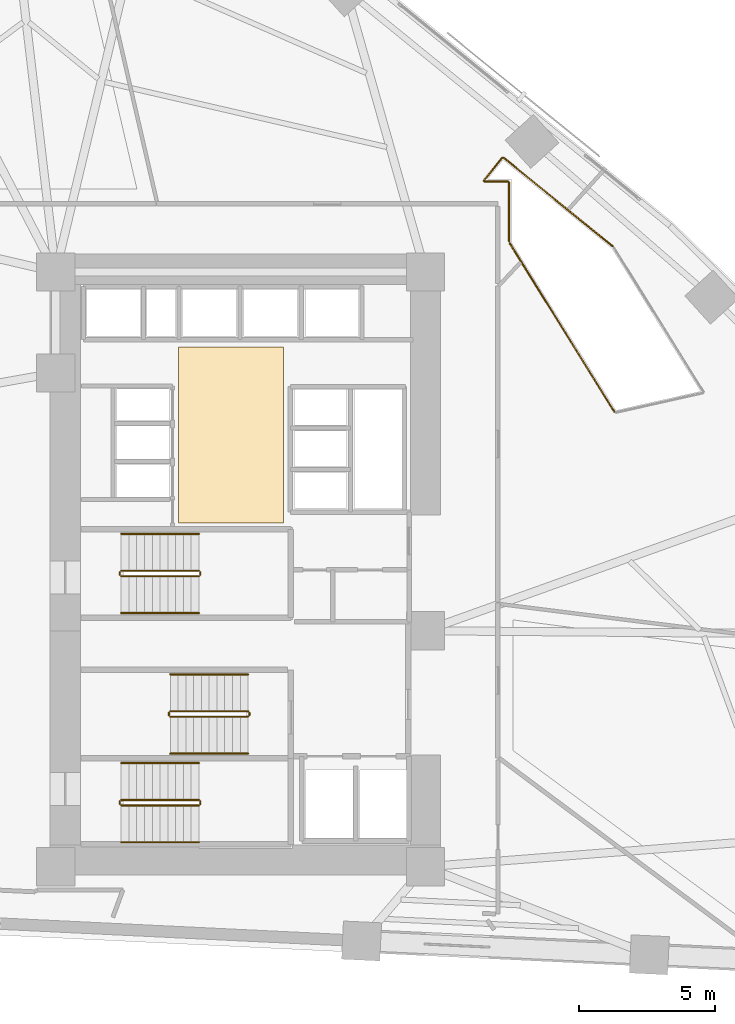
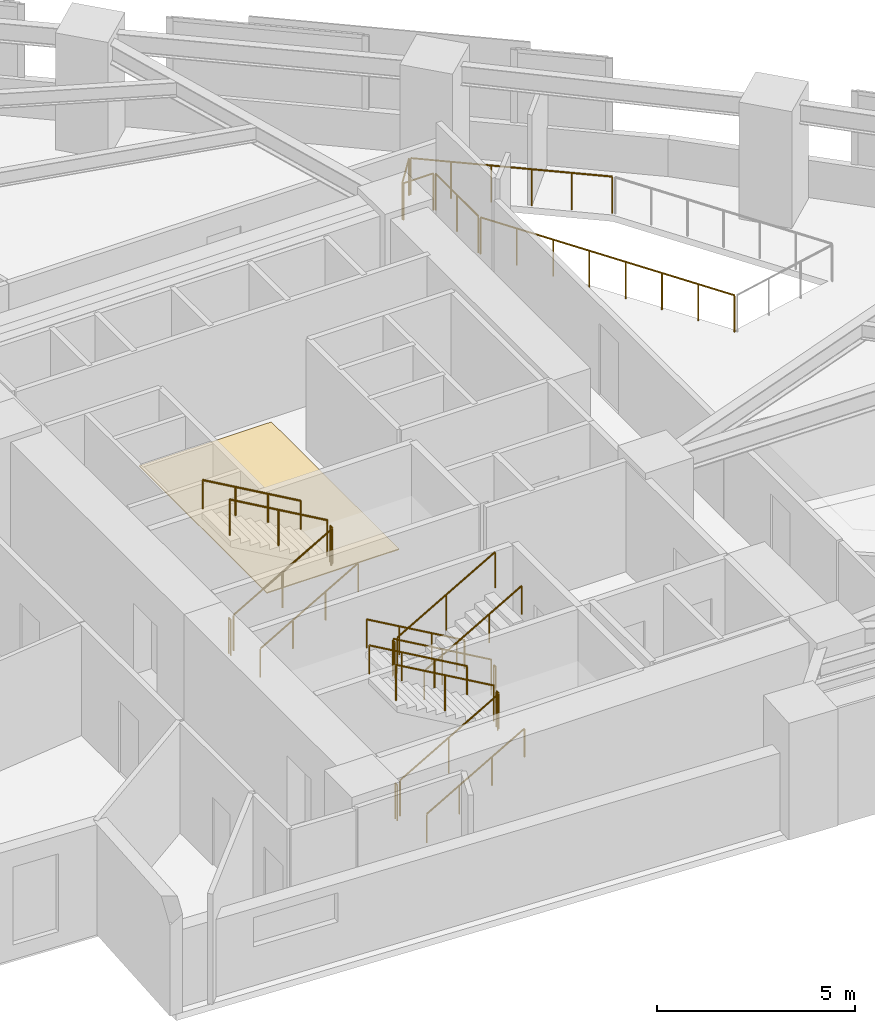
# One storey, part 16 of 17: 23 railings, 1 covering.
"""IFC4 building model written with IfcOpenShell, lengths in metres."""

from ifc_helpers import new_model, si_unit, direction, frame, origin, origin_2d, place, context, subcontext, project, spatial, polyline, circle, outline, extrude, material, layer, layer_set, type_object, element, save


model = new_model("IFC4")

# Units and contexts
model_context = context("Model", 3, precision=1e-05, world=origin(), true_north=direction((0.0, 1.0)))
body_context = subcontext(model_context, "Body", "Model", "MODEL_VIEW")
ifc_project = project(units=[si_unit("LENGTHUNIT", "METRE"), si_unit("AREAUNIT", "SQUARE_METRE"), si_unit("VOLUMEUNIT", "CUBIC_METRE"), si_unit("PLANEANGLEUNIT", "RADIAN"), si_unit("MASSUNIT", "GRAM", prefix="KILO")], contexts=[model_context])

# Site, building, storey
site_placement = place(None, origin())
site = spatial("IfcSite", under=ifc_project, at=site_placement, CompositionType="ELEMENT")
building_placement = place(site_placement, origin())
building = spatial("IfcBuilding", under=site, at=building_placement, Name="Narakoshi Arena Tower", CompositionType="ELEMENT")
storey_placement = place(building_placement, frame((0.0, 0.0, 51.89990234375)))
storey = spatial("IfcBuildingStorey", under=building, at=storey_placement, Name="L13", CompositionType="ELEMENT", Elevation=51.89990234375)

# Covering
ifc_material_1 = material(Name="Honed granite stone paving", Category="masonry")
ifc_layer = layer(ifc_material_1, 0.030029296875)
ifc_layer_set = layer_set([ifc_layer], Name="Honed granite stone paving")
covering_type = type_object("IfcCoveringType", Name="COV-FLR-ST30", PredefinedType="FLOORING", material=ifc_layer_set)
covering_placement = place(storey_placement, origin())
element("IfcCovering", 1, at=covering_placement, inside=storey, type_object=covering_type, Name="L13 Lift Lobby Granite Flooring", PredefinedType="FLOORING", context=body_context, shape_type="SweptSolid", body=[
    extrude(outline(polyline([(76.5, 47.300048828125), (80.35009765625, 47.300048828125), (80.35009765625, 53.75), (76.5, 53.75), (76.5, 47.300048828125)])), origin(), (0.0, 0.0, 1.0), 0.030029296875),
])

# Railings
ifc_material_2 = material(Name="Clear low-iron laminated structural glass", Category="glass")
railing_type_1 = type_object("IfcRailingType", Name="RL-BAL-1100", PredefinedType="BALUSTRADE", material=ifc_material_2)
railing_1_placement = place(storey_placement, frame((74.39990234375, 36.949951171875, 0.163818359375)))
element("IfcRailing", 2, at=railing_1_placement, inside=storey, type_object=railing_type_1, Name="L13 ST1 stair guard 1", PredefinedType="BALUSTRADE", context=body_context, shape_type="SweptSolid", body=[
    extrude(circle(Radius=0.02392578125, at=origin_2d()), frame((0.0, 0.0, 1.09619140625), z_axis=(0.867244780686, 0.0, 0.497882004468), x_axis=(0.0, 1.0, 0.0)), (0.0, 0.0, 1.0), 3.286376953125),
    extrude(circle(Radius=0.02099609375, at=origin_2d()), origin(), (0.0, 0.0, 1.0), 1.072021484375),
    extrude(circle(Radius=0.02099609375, at=origin_2d()), frame((1.425048828125, 0.0, 0.818115234375)), (0.0, 0.0, 1.0), 1.072021484375),
    extrude(circle(Radius=0.02099609375, at=origin_2d()), frame((2.85009765625, 0.0, 1.63623046875)), (0.0, 0.0, 1.0), 1.072021484375),
])
railing_2_placement = place(storey_placement, frame((77.300048828125, 37.0, 1.800048828125)))
element("IfcRailing", 3, at=railing_2_placement, inside=storey, type_object=railing_type_1, Name="L13 ST1 stair guard 2", PredefinedType="BALUSTRADE", context=body_context, shape_type="SweptSolid", body=[
    extrude(circle(Radius=0.02392578125, at=origin_2d()), frame((0.0, 0.0, 1.09619140625), z_axis=(0.0, 1.0, 0.0), x_axis=(-1.0, 0.0, 0.0)), (0.0, 0.0, 1.0), 0.10009765625),
    extrude(circle(Radius=0.02099609375, at=origin_2d()), origin(), (0.0, 0.0, 1.0), 1.072021484375),
    extrude(circle(Radius=0.02099609375, at=origin_2d()), frame((0.0, 0.10009765625, 0.0)), (0.0, 0.0, 1.0), 1.072021484375),
])
railing_3_placement = place(storey_placement, frame((77.25, 37.14990234375, 1.963623046875)))
element("IfcRailing", 4, at=railing_3_placement, inside=storey, type_object=railing_type_1, Name="L13 ST1 stair guard 3", PredefinedType="BALUSTRADE", context=body_context, shape_type="SweptSolid", body=[
    extrude(circle(Radius=0.02392578125, at=origin_2d()), frame((0.0, 0.0, 1.09619140625), z_axis=(-0.86721270334, 0.0, 0.497937874806), x_axis=(0.0, -1.0, 0.0)), (0.0, 0.0, 1.0), 3.28662109375),
    extrude(circle(Radius=0.02099609375, at=origin_2d()), origin(), (0.0, 0.0, 1.0), 1.072021484375),
    extrude(circle(Radius=0.02099609375, at=origin_2d()), frame((-1.425048828125, 0.0, 0.818359375)), (0.0, 0.0, 1.0), 1.072021484375),
    extrude(circle(Radius=0.02099609375, at=origin_2d()), frame((-2.85009765625, 0.0, 1.636474609375)), (0.0, 0.0, 1.0), 1.072021484375),
])
railing_4_placement = place(storey_placement, frame((74.35009765625, 37.0, 0.0)))
element("IfcRailing", 5, at=railing_4_placement, inside=storey, type_object=railing_type_1, Name="L13 ST1 stair guard 4", PredefinedType="BALUSTRADE", context=body_context, shape_type="SweptSolid", body=[
    extrude(circle(Radius=0.02392578125, at=origin_2d()), frame((0.0, 0.0, 1.09619140625), z_axis=(0.0, 1.0, 0.0), x_axis=(-1.0, 0.0, 0.0)), (0.0, 0.0, 1.0), 0.10009765625),
    extrude(circle(Radius=0.02099609375, at=origin_2d()), origin(), (0.0, 0.0, 1.0), 1.072021484375),
    extrude(circle(Radius=0.02099609375, at=origin_2d()), frame((0.0, 0.10009765625, 0.0)), (0.0, 0.0, 1.0), 1.072021484375),
])
railing_5_placement = place(storey_placement, frame((79.050048828125, 40.39990234375, 0.163818359375)))
element("IfcRailing", 6, at=railing_5_placement, inside=storey, type_object=railing_type_1, Name="L13 ST2 stair guard 1", PredefinedType="BALUSTRADE", context=body_context, shape_type="SweptSolid", body=[
    extrude(circle(Radius=0.02392578125, at=origin_2d()), frame((0.0, 0.0, 1.09619140625), z_axis=(-0.867244780686, 0.0, 0.497882004468), x_axis=(0.0, -1.0, 0.0)), (0.0, 0.0, 1.0), 3.286376953125),
    extrude(circle(Radius=0.02099609375, at=origin_2d()), origin(), (0.0, 0.0, 1.0), 1.072021484375),
    extrude(circle(Radius=0.02099609375, at=origin_2d()), frame((-1.425048828125, 0.0, 0.818115234375)), (0.0, 0.0, 1.0), 1.072021484375),
    extrude(circle(Radius=0.02099609375, at=origin_2d()), frame((-2.85009765625, 0.0, 1.63623046875)), (0.0, 0.0, 1.0), 1.072021484375),
])
railing_6_placement = place(storey_placement, frame((76.14990234375, 40.35009765625, 1.800048828125)))
element("IfcRailing", 7, at=railing_6_placement, inside=storey, type_object=railing_type_1, Name="L13 ST2 stair guard 2", PredefinedType="BALUSTRADE", context=body_context, shape_type="SweptSolid", body=[
    extrude(circle(Radius=0.02392578125, at=origin_2d()), frame((0.0, 0.0, 1.09619140625), z_axis=(0.0, -1.0, 0.0), x_axis=(1.0, 0.0, 0.0)), (0.0, 0.0, 1.0), 0.10009765625),
    extrude(circle(Radius=0.02099609375, at=origin_2d()), origin(), (0.0, 0.0, 1.0), 1.072021484375),
    extrude(circle(Radius=0.02099609375, at=origin_2d()), frame((0.0, -0.10009765625, 0.0)), (0.0, 0.0, 1.0), 1.072021484375),
])
railing_7_placement = place(storey_placement, frame((76.199951171875, 40.199951171875, 1.963623046875)))
element("IfcRailing", 8, at=railing_7_placement, inside=storey, type_object=railing_type_1, Name="L13 ST2 stair guard 3", PredefinedType="BALUSTRADE", context=body_context, shape_type="SweptSolid", body=[
    extrude(circle(Radius=0.02392578125, at=origin_2d()), frame((0.0, 0.0, 1.09619140625), z_axis=(0.86721270334, 0.0, 0.497937874806), x_axis=(0.0, 1.0, 0.0)), (0.0, 0.0, 1.0), 3.28662109375),
    extrude(circle(Radius=0.02099609375, at=origin_2d()), origin(), (0.0, 0.0, 1.0), 1.072021484375),
    extrude(circle(Radius=0.02099609375, at=origin_2d()), frame((1.425048828125, 0.0, 0.818359375)), (0.0, 0.0, 1.0), 1.072021484375),
    extrude(circle(Radius=0.02099609375, at=origin_2d()), frame((2.85009765625, 0.0, 1.636474609375)), (0.0, 0.0, 1.0), 1.072021484375),
])
railing_8_placement = place(storey_placement, frame((79.10009765625, 40.35009765625, 0.0)))
element("IfcRailing", 9, at=railing_8_placement, inside=storey, type_object=railing_type_1, Name="L13 ST2 stair guard 4", PredefinedType="BALUSTRADE", context=body_context, shape_type="SweptSolid", body=[
    extrude(circle(Radius=0.02392578125, at=origin_2d()), frame((0.0, 0.0, 1.09619140625), z_axis=(0.0, -1.0, 0.0), x_axis=(1.0, 0.0, 0.0)), (0.0, 0.0, 1.0), 0.10009765625),
    extrude(circle(Radius=0.02099609375, at=origin_2d()), origin(), (0.0, 0.0, 1.0), 1.072021484375),
    extrude(circle(Radius=0.02099609375, at=origin_2d()), frame((0.0, -0.10009765625, 0.0)), (0.0, 0.0, 1.0), 1.072021484375),
])
railing_9_placement = place(storey_placement, frame((74.39990234375, 45.35009765625, 0.163818359375)))
element("IfcRailing", 10, at=railing_9_placement, inside=storey, type_object=railing_type_1, Name="L13 ST3 stair guard 1", PredefinedType="BALUSTRADE", context=body_context, shape_type="SweptSolid", body=[
    extrude(circle(Radius=0.02392578125, at=origin_2d()), frame((0.0, 0.0, 1.09619140625), z_axis=(0.867244780686, 0.0, 0.497882004468), x_axis=(0.0, 1.0, 0.0)), (0.0, 0.0, 1.0), 3.286376953125),
    extrude(circle(Radius=0.02099609375, at=origin_2d()), origin(), (0.0, 0.0, 1.0), 1.072021484375),
    extrude(circle(Radius=0.02099609375, at=origin_2d()), frame((1.425048828125, 0.0, 0.818115234375)), (0.0, 0.0, 1.0), 1.072021484375),
    extrude(circle(Radius=0.02099609375, at=origin_2d()), frame((2.85009765625, 0.0, 1.63623046875)), (0.0, 0.0, 1.0), 1.072021484375),
])
railing_10_placement = place(storey_placement, frame((77.300048828125, 45.39990234375, 1.800048828125)))
element("IfcRailing", 11, at=railing_10_placement, inside=storey, type_object=railing_type_1, Name="L13 ST3 stair guard 2", PredefinedType="BALUSTRADE", context=body_context, shape_type="SweptSolid", body=[
    extrude(circle(Radius=0.02392578125, at=origin_2d()), frame((0.0, 0.0, 1.09619140625), z_axis=(0.0, 1.0, 0.0), x_axis=(-1.0, 0.0, 0.0)), (0.0, 0.0, 1.0), 0.10009765625),
    extrude(circle(Radius=0.02099609375, at=origin_2d()), origin(), (0.0, 0.0, 1.0), 1.072021484375),
    extrude(circle(Radius=0.02099609375, at=origin_2d()), frame((0.0, 0.10009765625, 0.0)), (0.0, 0.0, 1.0), 1.072021484375),
])
railing_11_placement = place(storey_placement, frame((77.25, 45.550048828125, 1.963623046875)))
element("IfcRailing", 12, at=railing_11_placement, inside=storey, type_object=railing_type_1, Name="L13 ST3 stair guard 3", PredefinedType="BALUSTRADE", context=body_context, shape_type="SweptSolid", body=[
    extrude(circle(Radius=0.02392578125, at=origin_2d()), frame((0.0, 0.0, 1.09619140625), z_axis=(-0.86721270334, 0.0, 0.497937874806), x_axis=(0.0, -1.0, 0.0)), (0.0, 0.0, 1.0), 3.28662109375),
    extrude(circle(Radius=0.02099609375, at=origin_2d()), origin(), (0.0, 0.0, 1.0), 1.072021484375),
    extrude(circle(Radius=0.02099609375, at=origin_2d()), frame((-1.425048828125, 0.0, 0.818359375)), (0.0, 0.0, 1.0), 1.072021484375),
    extrude(circle(Radius=0.02099609375, at=origin_2d()), frame((-2.85009765625, 0.0, 1.636474609375)), (0.0, 0.0, 1.0), 1.072021484375),
])
railing_12_placement = place(storey_placement, frame((74.35009765625, 45.39990234375, 0.0)))
element("IfcRailing", 13, at=railing_12_placement, inside=storey, type_object=railing_type_1, Name="L13 ST3 stair guard 4", PredefinedType="BALUSTRADE", context=body_context, shape_type="SweptSolid", body=[
    extrude(circle(Radius=0.02392578125, at=origin_2d()), frame((0.0, 0.0, 1.09619140625), z_axis=(0.0, 1.0, 0.0), x_axis=(-1.0, 0.0, 0.0)), (0.0, 0.0, 1.0), 0.10009765625),
    extrude(circle(Radius=0.02099609375, at=origin_2d()), origin(), (0.0, 0.0, 1.0), 1.072021484375),
    extrude(circle(Radius=0.02099609375, at=origin_2d()), frame((0.0, 0.10009765625, 0.0)), (0.0, 0.0, 1.0), 1.072021484375),
])
ifc_material_3 = material(Name="Brushed bronze stainless steel", Category="steel")
railing_type_2 = type_object("IfcRailingType", Name="RL-GRD-1150", PredefinedType="GUARDRAIL", material=ifc_material_3)
railing_13_placement = place(storey_placement, frame((92.477294921875, 51.3740234375, 0.0)))
element("IfcRailing", 14, at=railing_13_placement, inside=storey, type_object=railing_type_2, Name="L13 Sky-Garden Atrium Void Guardrail 1", PredefinedType="GUARDRAIL", context=body_context, shape_type="SweptSolid", body=[
    extrude(circle(Radius=0.02392578125, at=origin_2d()), frame((0.0, 0.0, 1.1259765625), z_axis=(-0.527639514135, 0.849468388537, 0.0), x_axis=(-0.849468388537, -0.527639514135, 0.0)), (0.0, 0.0, 1.0), 7.2705078125),
    extrude(circle(Radius=0.02099609375, at=origin_2d()), origin(), (0.0, 0.0, 1.0), 1.101806640625),
    extrude(circle(Radius=0.02099609375, at=origin_2d()), frame((-0.548095703125, 0.88232421875, 0.0)), (0.0, 0.0, 1.0), 1.101806640625),
    extrude(circle(Radius=0.02099609375, at=origin_2d()), frame((-1.095947265625, 1.7646484375, 0.0)), (0.0, 0.0, 1.0), 1.101806640625),
    extrude(circle(Radius=0.02099609375, at=origin_2d()), frame((-1.64404296875, 2.64697265625, 0.0)), (0.0, 0.0, 1.0), 1.101806640625),
    extrude(circle(Radius=0.02099609375, at=origin_2d()), frame((-2.192138671875, 3.529052734375, 0.0)), (0.0, 0.0, 1.0), 1.101806640625),
    extrude(circle(Radius=0.02099609375, at=origin_2d()), frame((-2.740234375, 4.411376953125, 0.0)), (0.0, 0.0, 1.0), 1.101806640625),
    extrude(circle(Radius=0.02099609375, at=origin_2d()), frame((-3.2880859375, 5.293701171875, 0.0)), (0.0, 0.0, 1.0), 1.101806640625),
    extrude(circle(Radius=0.02099609375, at=origin_2d()), frame((-3.836181640625, 6.176025390625, 0.0)), (0.0, 0.0, 1.0), 1.101806640625),
])
railing_14_placement = place(storey_placement, frame((88.6201171875, 57.6240234375, 0.0)))
element("IfcRailing", 15, at=railing_14_placement, inside=storey, type_object=railing_type_2, Name="L13 Sky-Garden Atrium Void Guardrail 2", PredefinedType="GUARDRAIL", context=body_context, shape_type="SweptSolid", body=[
    extrude(circle(Radius=0.02392578125, at=origin_2d()), frame((0.0, 0.0, 1.1259765625), z_axis=(0.0, 1.0, 0.0), x_axis=(-1.0, 0.0, 0.0)), (0.0, 0.0, 1.0), 2.156005859375),
    extrude(circle(Radius=0.02099609375, at=origin_2d()), origin(), (0.0, 0.0, 1.0), 1.101806640625),
    extrude(circle(Radius=0.02099609375, at=origin_2d()), frame((0.0, 1.078125, 0.0)), (0.0, 0.0, 1.0), 1.101806640625),
    extrude(circle(Radius=0.02099609375, at=origin_2d()), frame((0.0, 2.156005859375, 0.0)), (0.0, 0.0, 1.0), 1.101806640625),
])
railing_15_placement = place(storey_placement, frame((88.580078125, 59.820068359375, 0.0)))
element("IfcRailing", 16, at=railing_15_placement, inside=storey, type_object=railing_type_2, Name="L13 Sky-Garden Atrium Void Guardrail 3", PredefinedType="GUARDRAIL", context=body_context, shape_type="SweptSolid", body=[
    extrude(circle(Radius=0.02392578125, at=origin_2d()), frame((0.0, 0.0, 1.1259765625), z_axis=(-1.0, 0.0, 0.0), x_axis=(0.0, -1.0, 0.0)), (0.0, 0.0, 1.0), 0.875244140625),
    extrude(circle(Radius=0.02099609375, at=origin_2d()), origin(), (0.0, 0.0, 1.0), 1.101806640625),
    extrude(circle(Radius=0.02099609375, at=origin_2d()), frame((-0.875244140625, 0.0, 0.0)), (0.0, 0.0, 1.0), 1.101806640625),
])
railing_16_placement = place(storey_placement, frame((87.68994140625, 59.85107421875, 0.0)))
element("IfcRailing", 17, at=railing_16_placement, inside=storey, type_object=railing_type_2, Name="L13 Sky-Garden Atrium Void Guardrail 4", PredefinedType="GUARDRAIL", context=body_context, shape_type="SweptSolid", body=[
    extrude(circle(Radius=0.02392578125, at=origin_2d()), frame((0.0, 0.0, 1.1259765625), z_axis=(0.628863159406, 0.77751599774, 0.0), x_axis=(-0.77751599774, 0.628863159406, 0.0)), (0.0, 0.0, 1.0), 1.069091796875),
    extrude(circle(Radius=0.02099609375, at=origin_2d()), origin(), (0.0, 0.0, 1.0), 1.101806640625),
    extrude(circle(Radius=0.02099609375, at=origin_2d()), frame((0.67236328125, 0.831298828125, 0.0)), (0.0, 0.0, 1.0), 1.101806640625),
])
railing_17_placement = place(storey_placement, frame((88.41845703125, 60.688232421875, 0.0)))
element("IfcRailing", 18, at=railing_17_placement, inside=storey, type_object=railing_type_2, Name="L13 Sky-Garden Atrium Void Guardrail 5", PredefinedType="GUARDRAIL", context=body_context, shape_type="SweptSolid", body=[
    extrude(circle(Radius=0.02392578125, at=origin_2d()), frame((0.0, 0.0, 1.1259765625), z_axis=(0.775992142354, -0.630742574276, 0.0), x_axis=(0.630742574276, 0.775992142354, 0.0)), (0.0, 0.0, 1.0), 5.1484375),
    extrude(circle(Radius=0.02099609375, at=origin_2d()), origin(), (0.0, 0.0, 1.0), 1.101806640625),
    extrude(circle(Radius=0.02099609375, at=origin_2d()), frame((0.799072265625, -0.6494140625, 0.0)), (0.0, 0.0, 1.0), 1.101806640625),
    extrude(circle(Radius=0.02099609375, at=origin_2d()), frame((1.59814453125, -1.298828125, 0.0)), (0.0, 0.0, 1.0), 1.101806640625),
    extrude(circle(Radius=0.02099609375, at=origin_2d()), frame((2.39697265625, -1.948486328125, 0.0)), (0.0, 0.0, 1.0), 1.101806640625),
    extrude(circle(Radius=0.02099609375, at=origin_2d()), frame((3.196044921875, -2.597900390625, 0.0)), (0.0, 0.0, 1.0), 1.101806640625),
    extrude(circle(Radius=0.02099609375, at=origin_2d()), frame((3.9951171875, -3.247314453125, 0.0)), (0.0, 0.0, 1.0), 1.101806640625),
])
railing_type_3 = type_object("IfcRailingType", Name="RL-HND-900", PredefinedType="HANDRAIL", material=ifc_material_3)
railing_18_placement = place(storey_placement, frame((74.39990234375, 35.60009765625, 0.163818359375)))
element("IfcRailing", 19, at=railing_18_placement, inside=storey, type_object=railing_type_3, Name="L13 ST1 stair handrail 1", PredefinedType="HANDRAIL", context=body_context, shape_type="SweptSolid", body=[
    extrude(circle(Radius=0.02392578125, at=origin_2d()), frame((0.0, 0.0, 0.8759765625), z_axis=(0.867244780686, 0.0, 0.497882004468), x_axis=(0.0, 1.0, 0.0)), (0.0, 0.0, 1.0), 3.286376953125),
    extrude(circle(Radius=0.02099609375, at=origin_2d()), origin(), (0.0, 0.0, 1.0), 0.851806640625),
    extrude(circle(Radius=0.02099609375, at=origin_2d()), frame((0.949951171875, 0.0, 0.54541015625)), (0.0, 0.0, 1.0), 0.851806640625),
    extrude(circle(Radius=0.02099609375, at=origin_2d()), frame((1.900146484375, 0.0, 1.0908203125)), (0.0, 0.0, 1.0), 0.851806640625),
    extrude(circle(Radius=0.02099609375, at=origin_2d()), frame((2.85009765625, 0.0, 1.63623046875)), (0.0, 0.0, 1.0), 0.851806640625),
])
railing_19_placement = place(storey_placement, frame((77.25, 38.5, 1.963623046875)))
element("IfcRailing", 20, at=railing_19_placement, inside=storey, type_object=railing_type_3, Name="L13 ST1 stair handrail 2", PredefinedType="HANDRAIL", context=body_context, shape_type="SweptSolid", body=[
    extrude(circle(Radius=0.02392578125, at=origin_2d()), frame((0.0, 0.0, 0.8759765625), z_axis=(-0.86721270334, 0.0, 0.497937874806), x_axis=(0.0, -1.0, 0.0)), (0.0, 0.0, 1.0), 3.28662109375),
    extrude(circle(Radius=0.02099609375, at=origin_2d()), origin(), (0.0, 0.0, 1.0), 0.851806640625),
    extrude(circle(Radius=0.02099609375, at=origin_2d()), frame((-0.949951171875, 0.0, 0.54541015625)), (0.0, 0.0, 1.0), 0.851806640625),
    extrude(circle(Radius=0.02099609375, at=origin_2d()), frame((-1.900146484375, 0.0, 1.091064453125)), (0.0, 0.0, 1.0), 0.851806640625),
    extrude(circle(Radius=0.02099609375, at=origin_2d()), frame((-2.85009765625, 0.0, 1.636474609375)), (0.0, 0.0, 1.0), 0.851806640625),
])
railing_20_placement = place(storey_placement, frame((79.050048828125, 41.75, 0.163818359375)))
element("IfcRailing", 21, at=railing_20_placement, inside=storey, type_object=railing_type_3, Name="L13 ST2 stair handrail 1", PredefinedType="HANDRAIL", context=body_context, shape_type="SweptSolid", body=[
    extrude(circle(Radius=0.02392578125, at=origin_2d()), frame((0.0, 0.0, 0.8759765625), z_axis=(-0.867244780686, 0.0, 0.497882004468), x_axis=(0.0, -1.0, 0.0)), (0.0, 0.0, 1.0), 3.286376953125),
    extrude(circle(Radius=0.02099609375, at=origin_2d()), origin(), (0.0, 0.0, 1.0), 0.851806640625),
    extrude(circle(Radius=0.02099609375, at=origin_2d()), frame((-0.949951171875, 0.0, 0.54541015625)), (0.0, 0.0, 1.0), 0.851806640625),
    extrude(circle(Radius=0.02099609375, at=origin_2d()), frame((-1.900146484375, 0.0, 1.0908203125)), (0.0, 0.0, 1.0), 0.851806640625),
    extrude(circle(Radius=0.02099609375, at=origin_2d()), frame((-2.85009765625, 0.0, 1.63623046875)), (0.0, 0.0, 1.0), 0.851806640625),
])
railing_21_placement = place(storey_placement, frame((76.199951171875, 38.85009765625, 1.963623046875)))
element("IfcRailing", 22, at=railing_21_placement, inside=storey, type_object=railing_type_3, Name="L13 ST2 stair handrail 2", PredefinedType="HANDRAIL", context=body_context, shape_type="SweptSolid", body=[
    extrude(circle(Radius=0.02392578125, at=origin_2d()), frame((0.0, 0.0, 0.8759765625), z_axis=(0.86721270334, 0.0, 0.497937874806), x_axis=(0.0, 1.0, 0.0)), (0.0, 0.0, 1.0), 3.28662109375),
    extrude(circle(Radius=0.02099609375, at=origin_2d()), origin(), (0.0, 0.0, 1.0), 0.851806640625),
    extrude(circle(Radius=0.02099609375, at=origin_2d()), frame((0.949951171875, 0.0, 0.54541015625)), (0.0, 0.0, 1.0), 0.851806640625),
    extrude(circle(Radius=0.02099609375, at=origin_2d()), frame((1.900146484375, 0.0, 1.091064453125)), (0.0, 0.0, 1.0), 0.851806640625),
    extrude(circle(Radius=0.02099609375, at=origin_2d()), frame((2.85009765625, 0.0, 1.636474609375)), (0.0, 0.0, 1.0), 0.851806640625),
])
railing_22_placement = place(storey_placement, frame((74.39990234375, 44.0, 0.163818359375)))
element("IfcRailing", 23, at=railing_22_placement, inside=storey, type_object=railing_type_3, Name="L13 ST3 stair handrail 1", PredefinedType="HANDRAIL", context=body_context, shape_type="SweptSolid", body=[
    extrude(circle(Radius=0.02392578125, at=origin_2d()), frame((0.0, 0.0, 0.8759765625), z_axis=(0.867244780686, 0.0, 0.497882004468), x_axis=(0.0, 1.0, 0.0)), (0.0, 0.0, 1.0), 3.286376953125),
    extrude(circle(Radius=0.02099609375, at=origin_2d()), origin(), (0.0, 0.0, 1.0), 0.851806640625),
    extrude(circle(Radius=0.02099609375, at=origin_2d()), frame((0.949951171875, 0.0, 0.54541015625)), (0.0, 0.0, 1.0), 0.851806640625),
    extrude(circle(Radius=0.02099609375, at=origin_2d()), frame((1.900146484375, 0.0, 1.0908203125)), (0.0, 0.0, 1.0), 0.851806640625),
    extrude(circle(Radius=0.02099609375, at=origin_2d()), frame((2.85009765625, 0.0, 1.63623046875)), (0.0, 0.0, 1.0), 0.851806640625),
])
railing_23_placement = place(storey_placement, frame((77.25, 46.89990234375, 1.963623046875)))
element("IfcRailing", 24, at=railing_23_placement, inside=storey, type_object=railing_type_3, Name="L13 ST3 stair handrail 2", PredefinedType="HANDRAIL", context=body_context, shape_type="SweptSolid", body=[
    extrude(circle(Radius=0.02392578125, at=origin_2d()), frame((0.0, 0.0, 0.8759765625), z_axis=(-0.86721270334, 0.0, 0.497937874806), x_axis=(0.0, -1.0, 0.0)), (0.0, 0.0, 1.0), 3.28662109375),
    extrude(circle(Radius=0.02099609375, at=origin_2d()), origin(), (0.0, 0.0, 1.0), 0.851806640625),
    extrude(circle(Radius=0.02099609375, at=origin_2d()), frame((-0.949951171875, 0.0, 0.54541015625)), (0.0, 0.0, 1.0), 0.851806640625),
    extrude(circle(Radius=0.02099609375, at=origin_2d()), frame((-1.900146484375, 0.0, 1.091064453125)), (0.0, 0.0, 1.0), 0.851806640625),
    extrude(circle(Radius=0.02099609375, at=origin_2d()), frame((-2.85009765625, 0.0, 1.636474609375)), (0.0, 0.0, 1.0), 0.851806640625),
])

save(model, "model.ifc")
